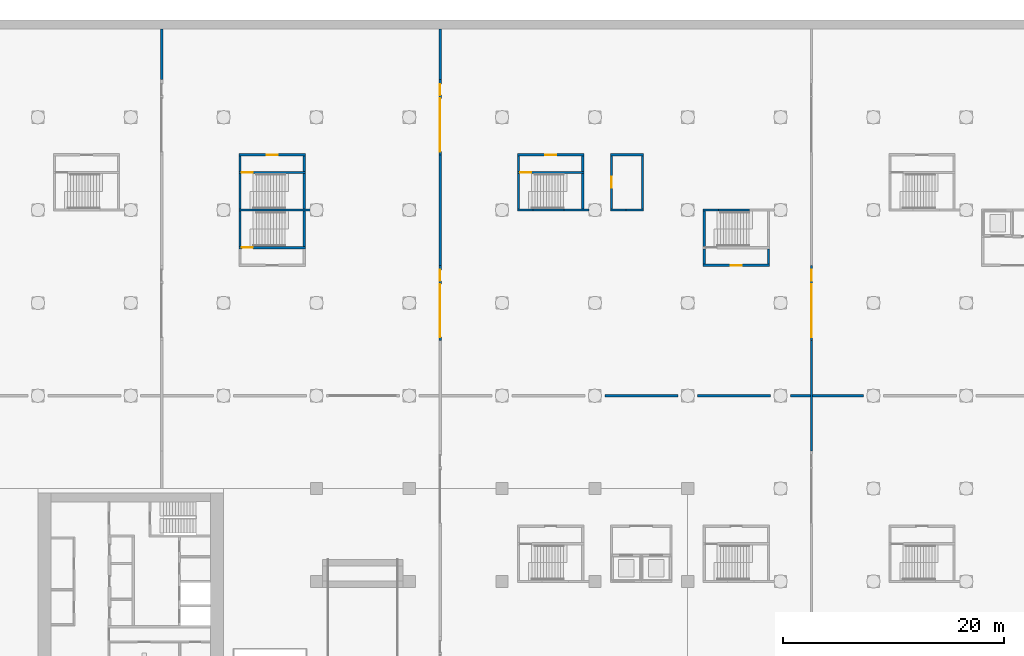
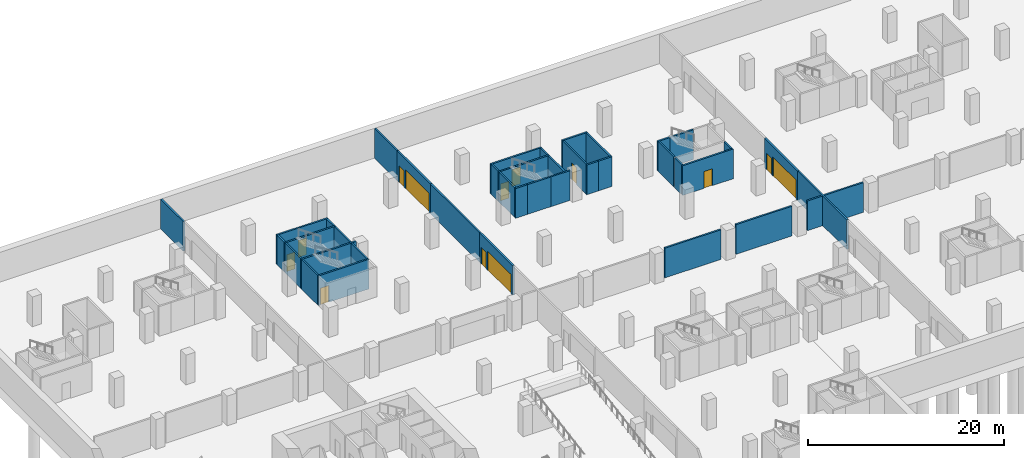
# One storey, part 10 of 19: 41 walls, 13 doors, 13 openings.
"""IFC4 building model written with IfcOpenShell, lengths in metres."""

from ifc_helpers import new_model, si_unit, direction, frame, frame_2d, origin, place, context, subcontext, project, spatial, rectangle, extrude, material, layer, layer_set, type_object, element, fill, save


model = new_model("IFC4")

# Units and contexts
model_context = context("Model", 3, precision=1e-05, world=origin(), true_north=direction((0.0, 1.0)))
body_context = subcontext(model_context, "Body", "Model", "MODEL_VIEW")
ifc_project = project(units=[si_unit("LENGTHUNIT", "METRE"), si_unit("AREAUNIT", "SQUARE_METRE"), si_unit("VOLUMEUNIT", "CUBIC_METRE"), si_unit("PLANEANGLEUNIT", "RADIAN"), si_unit("MASSUNIT", "GRAM", prefix="KILO")], contexts=[model_context])

# Site, building, storey
site_placement = place(None, origin())
site = spatial("IfcSite", under=ifc_project, at=site_placement, CompositionType="ELEMENT")
building_placement = place(site_placement, origin())
building = spatial("IfcBuilding", under=site, at=building_placement, Name="Vermilion Gate Residences", CompositionType="ELEMENT")
storey_placement = place(building_placement, frame((0.0, 0.0, -8.0)))
storey = spatial("IfcBuildingStorey", under=building, at=storey_placement, Name="B2", CompositionType="ELEMENT", Elevation=-8.0)

# Wall, opening, door
ifc_material_1 = material(Name="Concrete blockwork", Category="masonry")
ifc_layer_1 = layer(ifc_material_1, 0.199951171875)
ifc_layer_set_1 = layer_set([ifc_layer_1], Name="FIRE WALL 200 EI 120 (AMENITY)")
wall_type_1 = type_object("IfcWallType", Name="FIRE WALL 200 EI 120 (AMENITY)", PredefinedType="PARTITIONING", material=ifc_layer_set_1)
wall_1_placement = place(storey_placement, frame((60.300048828125, 84.10009765625, 0.0), z_axis=(0.0, 0.0, 1.0), x_axis=(0.0, 1.0, 0.0)))
wall_1 = element("IfcWall", 1, at=wall_1_placement, inside=storey, type_object=wall_type_1, Name="Fire-resisting wall 105", PredefinedType="PARTITIONING", context=body_context, shape_type="SweptSolid", body=[
    extrude(rectangle(XDim=4.7998046875, YDim=0.199951171875, at=frame_2d((2.39990234375, 0.0))), origin(), (0.0, 0.0, 1.0), 3.699951171875),
])
opening_1_placement = place(wall_1_placement, frame((1.89990234375, 0.0, 0.0)))
opening_1 = element("IfcOpeningElement", 2, at=opening_1_placement, cuts=wall_1, Name="Opening DMB2046", PredefinedType="OPENING", context=body_context, shape_type="SweptSolid", body=[
    extrude(rectangle(XDim=1.0, YDim=2.10009765625, at=frame_2d((0.5, 1.050048828125))), frame((0.0, 0.10986328125, 0.0), z_axis=(0.0, -1.0, 0.0), x_axis=(1.0, 0.0, 0.0)), (0.0, 0.0, 1.0), 0.219970703125),
])
ifc_material_2 = material(Name="Steel", Category="steel")
door_type_1 = type_object("IfcDoorType", Name="DOOR 1000 X 2100 FD60 (AMENITY)", OperationType="SINGLE_SWING_LEFT", PredefinedType="DOOR", material=ifc_material_2)
door_1_placement = place(opening_1_placement, origin())
door_1 = element("IfcDoor", 3, at=door_1_placement, inside=storey, type_object=door_type_1, Name="Door B2 46", OperationType="SINGLE_SWING_LEFT", OverallHeight=2.10009765625, OverallWidth=1.0, PredefinedType="DOOR", context=body_context, shape_type="SweptSolid", body=[
    extrude(rectangle(XDim=1.0, YDim=2.10009765625, at=frame_2d((0.5, 1.050048828125))), frame((0.0, 0.02490234375, 0.0), z_axis=(0.0, -1.0, 0.0), x_axis=(1.0, 0.0, 0.0)), (0.0, 0.0, 1.0), 0.050048828125),
])
fill(opening_1, door_1)

# Walls
wall_2_placement = place(storey_placement, frame((60.199951171875, 84.0, 0.0), z_axis=(0.0, 0.0, 1.0), x_axis=(1.0, 0.0, 0.0)))
element("IfcWall", 4, at=wall_2_placement, inside=storey, type_object=wall_type_1, Name="Fire-resisting wall 106", PredefinedType="PARTITIONING", context=body_context, shape_type="SweptSolid", body=[
    extrude(rectangle(XDim=1.400146484375, YDim=0.199951171875, at=frame_2d((0.7001953125, 0.0))), origin(), (0.0, 0.0, 1.0), 3.699951171875),
])
wall_3_placement = place(storey_placement, frame((60.199951171875, 89.0, 0.0), z_axis=(0.0, 0.0, 1.0), x_axis=(1.0, 0.0, 0.0)))
element("IfcWall", 5, at=wall_3_placement, inside=storey, type_object=wall_type_1, Name="Fire-resisting wall 107", PredefinedType="PARTITIONING", context=body_context, shape_type="SweptSolid", body=[
    extrude(rectangle(XDim=3.0, YDim=0.199951171875, at=frame_2d((1.5, 0.0))), origin(), (0.0, 0.0, 1.0), 3.699951171875),
])
wall_4_placement = place(storey_placement, frame((61.60009765625, 84.0, 0.0), z_axis=(0.0, 0.0, 1.0), x_axis=(1.0, 0.0, 0.0)))
element("IfcWall", 6, at=wall_4_placement, inside=storey, type_object=wall_type_1, Name="Fire-resisting wall 109", PredefinedType="PARTITIONING", context=body_context, shape_type="SweptSolid", body=[
    extrude(rectangle(XDim=1.599853515625, YDim=0.199951171875, at=frame_2d((0.7998046875, 0.0))), origin(), (0.0, 0.0, 1.0), 3.699951171875),
])
wall_5_placement = place(storey_placement, frame((63.10009765625, 84.10009765625, 0.0), z_axis=(0.0, 0.0, 1.0), x_axis=(0.0, 1.0, 0.0)))
element("IfcWall", 7, at=wall_5_placement, inside=storey, type_object=wall_type_1, Name="Fire-resisting wall 114", PredefinedType="PARTITIONING", context=body_context, shape_type="SweptSolid", body=[
    extrude(rectangle(XDim=4.7998046875, YDim=0.199951171875, at=frame_2d((2.39990234375, 0.0))), origin(), (0.0, 0.0, 1.0), 3.699951171875),
])
ifc_material_3 = material(Name="Concrete blockwork", Category="masonry")
ifc_layer_2 = layer(ifc_material_3, 0.199951171875)
ifc_layer_set_2 = layer_set([ifc_layer_2], Name="GARAGE FIRE WALL 200 EI 120 (AMENITY)")
wall_type_2 = type_object("IfcWallType", Name="GARAGE FIRE WALL 200 EI 120 (AMENITY)", PredefinedType="PARTITIONING", material=ifc_layer_set_2)
wall_6_placement = place(storey_placement, frame((19.60009765625, 95.800048828125, 0.0), z_axis=(0.0, 0.0, 1.0), x_axis=(0.0, 1.0, 0.0)))
element("IfcWall", 8, at=wall_6_placement, inside=storey, type_object=wall_type_2, Name="Fire compartment wall", PredefinedType="PARTITIONING", context=body_context, shape_type="SweptSolid", body=[
    extrude(rectangle(XDim=4.599853515625, YDim=0.199951171875, at=frame_2d((2.2998046875, 0.0))), origin(), (0.0, 0.0, 1.0), 3.699951171875),
])

# Wall, openings, doors
wall_7_placement = place(storey_placement, frame((44.800048828125, 72.199951171875, 0.0), z_axis=(0.0, 0.0, 1.0), x_axis=(0.0, 1.0, 0.0)))
wall_7 = element("IfcWall", 9, at=wall_7_placement, inside=storey, type_object=wall_type_2, Name="Fire compartment wall", PredefinedType="PARTITIONING", context=body_context, shape_type="SweptSolid", body=[
    extrude(rectangle(XDim=6.800048828125, YDim=0.199951171875, at=frame_2d((3.39990234375, 0.0))), origin(), (0.0, 0.0, 1.0), 3.699951171875),
])
opening_2_placement = place(wall_7_placement, frame((0.300048828125, 0.0, 0.0)))
opening_2 = element("IfcOpeningElement", 10, at=opening_2_placement, cuts=wall_7, Name="Opening DGB2013", PredefinedType="OPENING", context=body_context, shape_type="SweptSolid", body=[
    extrude(rectangle(XDim=4.800048828125, YDim=2.39990234375, at=frame_2d((2.39990234375, 1.199951171875))), frame((0.0, 0.10986328125, 0.0), z_axis=(0.0, -1.0, 0.0), x_axis=(1.0, 0.0, 0.0)), (0.0, 0.0, 1.0), 0.219970703125),
])
opening_3_placement = place(wall_7_placement, frame((5.39990234375, 0.0, 0.0)))
opening_3 = element("IfcOpeningElement", 11, at=opening_3_placement, cuts=wall_7, Name="Opening DGB2014", PredefinedType="OPENING", context=body_context, shape_type="SweptSolid", body=[
    extrude(rectangle(XDim=1.0, YDim=2.10009765625, at=frame_2d((0.5, 1.050048828125))), frame((0.0, 0.10986328125, 0.0), z_axis=(0.0, -1.0, 0.0), x_axis=(1.0, 0.0, 0.0)), (0.0, 0.0, 1.0), 0.219970703125),
])
ifc_material_4 = material(Name="Steel", Category="steel")
door_type_2 = type_object("IfcDoorType", Name="DOOR 1000 X 2100 FD120 (AMENITY)", OperationType="SINGLE_SWING_LEFT", PredefinedType="DOOR", material=ifc_material_4)
door_2_placement = place(opening_3_placement, frame((1.0, 0.0, 0.0), z_axis=(0.0, 0.0, 1.0), x_axis=(-1.0, 0.0, 0.0)))
door_2 = element("IfcDoor", 12, at=door_2_placement, inside=storey, type_object=door_type_2, Name="Fire door", OperationType="SINGLE_SWING_RIGHT", OverallHeight=2.10009765625, OverallWidth=1.0, PredefinedType="DOOR", context=body_context, shape_type="SweptSolid", body=[
    extrude(rectangle(XDim=1.0, YDim=2.10009765625, at=frame_2d((0.5, 1.050048828125))), frame((0.0, 0.02490234375, 0.0), z_axis=(0.0, -1.0, 0.0), x_axis=(1.0, 0.0, 0.0)), (0.0, 0.0, 1.0), 0.050048828125),
])
fill(opening_3, door_2)
ifc_material_5 = material(Name="Steel", Category="steel")
door_type_3 = type_object("IfcDoorType", Name="FIRE SHUTTER 4800 X 2400 (AMENITY)", OperationType="ROLLINGUP", PredefinedType="GATE", material=ifc_material_5)
door_3_placement = place(opening_2_placement, origin())
door_3 = element("IfcDoor", 13, at=door_3_placement, inside=storey, type_object=door_type_3, Name="Fire shutter", OperationType="ROLLINGUP", OverallHeight=2.39990234375, OverallWidth=4.800048828125, PredefinedType="GATE", context=body_context, shape_type="SweptSolid", body=[
    extrude(rectangle(XDim=4.800048828125, YDim=2.39990234375, at=frame_2d((2.39990234375, 1.199951171875))), frame((0.0, 0.02490234375, 0.0), z_axis=(0.0, -1.0, 0.0), x_axis=(1.0, 0.0, 0.0)), (0.0, 0.0, 1.0), 0.050048828125),
])
fill(opening_2, door_3)

# Wall
wall_8_placement = place(storey_placement, frame((44.800048828125, 79.0, 0.0), z_axis=(0.0, 0.0, 1.0), x_axis=(0.0, 1.0, 0.0)))
element("IfcWall", 14, at=wall_8_placement, inside=storey, type_object=wall_type_2, Name="Fire compartment wall", PredefinedType="PARTITIONING", context=body_context, shape_type="SweptSolid", body=[
    extrude(rectangle(XDim=10.0, YDim=0.199951171875, at=frame_2d((5.0, 0.0))), origin(), (0.0, 0.0, 1.0), 3.699951171875),
])

# Wall, openings, doors
wall_9_placement = place(storey_placement, frame((44.800048828125, 89.0, 0.0), z_axis=(0.0, 0.0, 1.0), x_axis=(0.0, 1.0, 0.0)))
wall_9 = element("IfcWall", 15, at=wall_9_placement, inside=storey, type_object=wall_type_2, Name="Fire compartment wall", PredefinedType="PARTITIONING", context=body_context, shape_type="SweptSolid", body=[
    extrude(rectangle(XDim=6.800048828125, YDim=0.199951171875, at=frame_2d((3.39990234375, 0.0))), origin(), (0.0, 0.0, 1.0), 3.699951171875),
])
opening_4_placement = place(wall_9_placement, frame((0.300048828125, 0.0, 0.0)))
opening_4 = element("IfcOpeningElement", 16, at=opening_4_placement, cuts=wall_9, Name="Opening DGB2015", PredefinedType="OPENING", context=body_context, shape_type="SweptSolid", body=[
    extrude(rectangle(XDim=4.800048828125, YDim=2.39990234375, at=frame_2d((2.39990234375, 1.199951171875))), frame((0.0, 0.10986328125, 0.0), z_axis=(0.0, -1.0, 0.0), x_axis=(1.0, 0.0, 0.0)), (0.0, 0.0, 1.0), 0.219970703125),
])
opening_5_placement = place(wall_9_placement, frame((5.39990234375, 0.0, 0.0)))
opening_5 = element("IfcOpeningElement", 17, at=opening_5_placement, cuts=wall_9, Name="Opening DGB2016", PredefinedType="OPENING", context=body_context, shape_type="SweptSolid", body=[
    extrude(rectangle(XDim=1.0, YDim=2.10009765625, at=frame_2d((0.5, 1.050048828125))), frame((0.0, 0.10986328125, 0.0), z_axis=(0.0, -1.0, 0.0), x_axis=(1.0, 0.0, 0.0)), (0.0, 0.0, 1.0), 0.219970703125),
])
door_4_placement = place(opening_5_placement, origin())
door_4 = element("IfcDoor", 18, at=door_4_placement, inside=storey, type_object=door_type_2, Name="Fire door", OperationType="SINGLE_SWING_LEFT", OverallHeight=2.10009765625, OverallWidth=1.0, PredefinedType="DOOR", context=body_context, shape_type="SweptSolid", body=[
    extrude(rectangle(XDim=1.0, YDim=2.10009765625, at=frame_2d((0.5, 1.050048828125))), frame((0.0, 0.02490234375, 0.0), z_axis=(0.0, -1.0, 0.0), x_axis=(1.0, 0.0, 0.0)), (0.0, 0.0, 1.0), 0.050048828125),
])
fill(opening_5, door_4)
door_5_placement = place(opening_4_placement, origin())
door_5 = element("IfcDoor", 19, at=door_5_placement, inside=storey, type_object=door_type_3, Name="Fire shutter", OperationType="ROLLINGUP", OverallHeight=2.39990234375, OverallWidth=4.800048828125, PredefinedType="GATE", context=body_context, shape_type="SweptSolid", body=[
    extrude(rectangle(XDim=4.800048828125, YDim=2.39990234375, at=frame_2d((2.39990234375, 1.199951171875))), frame((0.0, 0.02490234375, 0.0), z_axis=(0.0, -1.0, 0.0), x_axis=(1.0, 0.0, 0.0)), (0.0, 0.0, 1.0), 0.050048828125),
])
fill(opening_4, door_5)

# Walls
wall_10_placement = place(storey_placement, frame((44.800048828125, 95.800048828125, 0.0), z_axis=(0.0, 0.0, 1.0), x_axis=(0.0, 1.0, 0.0)))
element("IfcWall", 20, at=wall_10_placement, inside=storey, type_object=wall_type_2, Name="Fire compartment wall", PredefinedType="PARTITIONING", context=body_context, shape_type="SweptSolid", body=[
    extrude(rectangle(XDim=4.599853515625, YDim=0.199951171875, at=frame_2d((2.2998046875, 0.0))), origin(), (0.0, 0.0, 1.0), 3.699951171875),
])
wall_11_placement = place(storey_placement, frame((78.39990234375, 62.199951171875, 0.0), z_axis=(0.0, 0.0, 1.0), x_axis=(0.0, 1.0, 0.0)))
element("IfcWall", 21, at=wall_11_placement, inside=storey, type_object=wall_type_2, Name="Fire compartment wall", PredefinedType="PARTITIONING", context=body_context, shape_type="SweptSolid", body=[
    extrude(rectangle(XDim=10.0, YDim=0.199951171875, at=frame_2d((5.0, 0.0))), origin(), (0.0, 0.0, 1.0), 3.699951171875),
])

# Wall, openings, doors
wall_12_placement = place(storey_placement, frame((78.39990234375, 72.199951171875, 0.0), z_axis=(0.0, 0.0, 1.0), x_axis=(0.0, 1.0, 0.0)))
wall_12 = element("IfcWall", 22, at=wall_12_placement, inside=storey, type_object=wall_type_2, Name="Fire compartment wall", PredefinedType="PARTITIONING", context=body_context, shape_type="SweptSolid", body=[
    extrude(rectangle(XDim=6.800048828125, YDim=0.199951171875, at=frame_2d((3.39990234375, 0.0))), origin(), (0.0, 0.0, 1.0), 3.699951171875),
])
opening_6_placement = place(wall_12_placement, frame((0.300048828125, 0.0, 0.0)))
opening_6 = element("IfcOpeningElement", 23, at=opening_6_placement, cuts=wall_12, Name="Opening DGB2021", PredefinedType="OPENING", context=body_context, shape_type="SweptSolid", body=[
    extrude(rectangle(XDim=4.800048828125, YDim=2.39990234375, at=frame_2d((2.39990234375, 1.199951171875))), frame((0.0, 0.10986328125, 0.0), z_axis=(0.0, -1.0, 0.0), x_axis=(1.0, 0.0, 0.0)), (0.0, 0.0, 1.0), 0.219970703125),
])
opening_7_placement = place(wall_12_placement, frame((5.39990234375, 0.0, 0.0)))
opening_7 = element("IfcOpeningElement", 24, at=opening_7_placement, cuts=wall_12, Name="Opening DGB2022", PredefinedType="OPENING", context=body_context, shape_type="SweptSolid", body=[
    extrude(rectangle(XDim=1.0, YDim=2.10009765625, at=frame_2d((0.5, 1.050048828125))), frame((0.0, 0.10986328125, 0.0), z_axis=(0.0, -1.0, 0.0), x_axis=(1.0, 0.0, 0.0)), (0.0, 0.0, 1.0), 0.219970703125),
])
door_6_placement = place(opening_7_placement, frame((1.0, 0.0, 0.0), z_axis=(0.0, 0.0, 1.0), x_axis=(-1.0, 0.0, 0.0)))
door_6 = element("IfcDoor", 25, at=door_6_placement, inside=storey, type_object=door_type_2, Name="Fire door", OperationType="SINGLE_SWING_RIGHT", OverallHeight=2.10009765625, OverallWidth=1.0, PredefinedType="DOOR", context=body_context, shape_type="SweptSolid", body=[
    extrude(rectangle(XDim=1.0, YDim=2.10009765625, at=frame_2d((0.5, 1.050048828125))), frame((0.0, 0.02490234375, 0.0), z_axis=(0.0, -1.0, 0.0), x_axis=(1.0, 0.0, 0.0)), (0.0, 0.0, 1.0), 0.050048828125),
])
fill(opening_7, door_6)
door_7_placement = place(opening_6_placement, origin())
door_7 = element("IfcDoor", 26, at=door_7_placement, inside=storey, type_object=door_type_3, Name="Fire shutter", OperationType="ROLLINGUP", OverallHeight=2.39990234375, OverallWidth=4.800048828125, PredefinedType="GATE", context=body_context, shape_type="SweptSolid", body=[
    extrude(rectangle(XDim=4.800048828125, YDim=2.39990234375, at=frame_2d((2.39990234375, 1.199951171875))), frame((0.0, 0.02490234375, 0.0), z_axis=(0.0, -1.0, 0.0), x_axis=(1.0, 0.0, 0.0)), (0.0, 0.0, 1.0), 0.050048828125),
])
fill(opening_6, door_7)

# Walls
wall_13_placement = place(storey_placement, frame((59.699951171875, 67.199951171875, 0.0), z_axis=(0.0, 0.0, 1.0), x_axis=(1.0, 0.0, 0.0)))
element("IfcWall", 27, at=wall_13_placement, inside=storey, type_object=wall_type_2, Name="Fire compartment wall", PredefinedType="PARTITIONING", context=body_context, shape_type="SweptSolid", body=[
    extrude(rectangle(XDim=6.60009765625, YDim=0.199951171875, at=frame_2d((3.300048828125, 0.0))), origin(), (0.0, 0.0, 1.0), 3.699951171875),
])
wall_14_placement = place(storey_placement, frame((68.10009765625, 67.199951171875, 0.0), z_axis=(0.0, 0.0, 1.0), x_axis=(1.0, 0.0, 0.0)))
element("IfcWall", 28, at=wall_14_placement, inside=storey, type_object=wall_type_2, Name="Fire compartment wall", PredefinedType="PARTITIONING", context=body_context, shape_type="SweptSolid", body=[
    extrude(rectangle(XDim=6.599853515625, YDim=0.199951171875, at=frame_2d((3.2998046875, 0.0))), origin(), (0.0, 0.0, 1.0), 3.699951171875),
])
wall_15_placement = place(storey_placement, frame((76.5, 67.199951171875, 0.0), z_axis=(0.0, 0.0, 1.0), x_axis=(1.0, 0.0, 0.0)))
element("IfcWall", 29, at=wall_15_placement, inside=storey, type_object=wall_type_2, Name="Fire compartment wall", PredefinedType="PARTITIONING", context=body_context, shape_type="SweptSolid", body=[
    extrude(rectangle(XDim=1.800048828125, YDim=0.199951171875, at=frame_2d((0.89990234375, 0.0))), origin(), (0.0, 0.0, 1.0), 3.699951171875),
])
wall_16_placement = place(storey_placement, frame((78.5, 67.199951171875, 0.0), z_axis=(0.0, 0.0, 1.0), x_axis=(1.0, 0.0, 0.0)))
element("IfcWall", 30, at=wall_16_placement, inside=storey, type_object=wall_type_2, Name="Fire compartment wall", PredefinedType="PARTITIONING", context=body_context, shape_type="SweptSolid", body=[
    extrude(rectangle(XDim=4.60009765625, YDim=0.199951171875, at=frame_2d((2.300048828125, 0.0))), origin(), (0.0, 0.0, 1.0), 3.699951171875),
])
ifc_material_6 = material(Name="Concrete C40", Category="concrete")
ifc_layer_3 = layer(ifc_material_6, 0.199951171875)
ifc_layer_set_3 = layer_set([ifc_layer_3], Name="RC STAIR AND SHAFT WALL 200 EI 180 C40 (AMENITY)")
wall_type_3 = type_object("IfcWallType", Name="RC STAIR AND SHAFT WALL 200 EI 180 C40 (AMENITY)", PredefinedType="SOLIDWALL", material=ifc_layer_set_3)
wall_17_placement = place(storey_placement, frame((26.699951171875, 80.699951171875, 0.0), z_axis=(0.0, 0.0, 1.0), x_axis=(0.0, 1.0, 0.0)))
element("IfcWall", 31, at=wall_17_placement, inside=storey, type_object=wall_type_3, Name="Stair and shaft wall 54", PredefinedType="SOLIDWALL", context=body_context, shape_type="SweptSolid", body=[
    extrude(rectangle(XDim=3.199951171875, YDim=0.199951171875, at=frame_2d((1.60009765625, 0.0))), origin(), (0.0, 0.0, 1.0), 3.699951171875),
])

# Wall, opening, door
wall_18_placement = place(storey_placement, frame((26.60009765625, 80.60009765625, 0.0), z_axis=(0.0, 0.0, 1.0), x_axis=(1.0, 0.0, 0.0)))
wall_18 = element("IfcWall", 32, at=wall_18_placement, inside=storey, type_object=wall_type_3, Name="Stair and shaft wall 55", PredefinedType="SOLIDWALL", context=body_context, shape_type="SweptSolid", body=[
    extrude(rectangle(XDim=6.0, YDim=0.199951171875, at=frame_2d((3.0, 0.0))), origin(), (0.0, 0.0, 1.0), 3.699951171875),
])
opening_8_placement = place(wall_18_placement, frame((0.25, 0.0, 0.0)))
opening_8 = element("IfcOpeningElement", 33, at=opening_8_placement, cuts=wall_18, Name="Opening DMB2024", PredefinedType="OPENING", context=body_context, shape_type="SweptSolid", body=[
    extrude(rectangle(XDim=1.0, YDim=2.10009765625, at=frame_2d((0.5, 1.050048828125))), frame((0.0, 0.10986328125, 0.0), z_axis=(0.0, -1.0, 0.0), x_axis=(1.0, 0.0, 0.0)), (0.0, 0.0, 1.0), 0.219970703125),
])
door_8_placement = place(opening_8_placement, origin())
door_8 = element("IfcDoor", 34, at=door_8_placement, inside=storey, type_object=door_type_1, Name="Door B2 24", OperationType="SINGLE_SWING_RIGHT", OverallHeight=2.10009765625, OverallWidth=1.0, PredefinedType="DOOR", context=body_context, shape_type="SweptSolid", body=[
    extrude(rectangle(XDim=1.0, YDim=2.10009765625, at=frame_2d((0.5, 1.050048828125))), frame((0.0, 0.02490234375, 0.0), z_axis=(0.0, -1.0, 0.0), x_axis=(1.0, 0.0, 0.0)), (0.0, 0.0, 1.0), 0.050048828125),
])
fill(opening_8, door_8)

# Walls
wall_19_placement = place(storey_placement, frame((26.699951171875, 84.10009765625, 0.0), z_axis=(0.0, 0.0, 1.0), x_axis=(0.0, 1.0, 0.0)))
element("IfcWall", 35, at=wall_19_placement, inside=storey, type_object=wall_type_3, Name="Stair and shaft wall 56", PredefinedType="SOLIDWALL", context=body_context, shape_type="SweptSolid", body=[
    extrude(rectangle(XDim=3.199951171875, YDim=0.199951171875, at=frame_2d((1.60009765625, 0.0))), origin(), (0.0, 0.0, 1.0), 3.699951171875),
])
wall_20_placement = place(storey_placement, frame((26.60009765625, 84.0, 0.0), z_axis=(0.0, 0.0, 1.0), x_axis=(1.0, 0.0, 0.0)))
element("IfcWall", 36, at=wall_20_placement, inside=storey, type_object=wall_type_3, Name="Stair and shaft wall 57", PredefinedType="SOLIDWALL", context=body_context, shape_type="SweptSolid", body=[
    extrude(rectangle(XDim=6.449951171875, YDim=0.199951171875, at=frame_2d((3.22509765625, 0.0))), origin(), (0.0, 0.0, 1.0), 3.699951171875),
])
wall_21_placement = place(storey_placement, frame((26.699951171875, 87.5, 0.0), z_axis=(0.0, 0.0, 1.0), x_axis=(0.0, 1.0, 0.0)))
element("IfcWall", 37, at=wall_21_placement, inside=storey, type_object=wall_type_3, Name="Stair and shaft wall 58", PredefinedType="SOLIDWALL", context=body_context, shape_type="SweptSolid", body=[
    extrude(rectangle(XDim=1.39990234375, YDim=0.199951171875, at=frame_2d((0.699951171875, 0.0))), origin(), (0.0, 0.0, 1.0), 3.699951171875),
])

# Wall, opening, door
wall_22_placement = place(storey_placement, frame((26.60009765625, 87.39990234375, 0.0), z_axis=(0.0, 0.0, 1.0), x_axis=(1.0, 0.0, 0.0)))
wall_22 = element("IfcWall", 38, at=wall_22_placement, inside=storey, type_object=wall_type_3, Name="Stair and shaft wall 59", PredefinedType="SOLIDWALL", context=body_context, shape_type="SweptSolid", body=[
    extrude(rectangle(XDim=6.0, YDim=0.199951171875, at=frame_2d((3.0, 0.0))), origin(), (0.0, 0.0, 1.0), 3.699951171875),
])
opening_9_placement = place(wall_22_placement, frame((0.25, 0.0, 0.0)))
opening_9 = element("IfcOpeningElement", 39, at=opening_9_placement, cuts=wall_22, Name="Opening DMB2022", PredefinedType="OPENING", context=body_context, shape_type="SweptSolid", body=[
    extrude(rectangle(XDim=1.0, YDim=2.10009765625, at=frame_2d((0.5, 1.050048828125))), frame((0.0, 0.10986328125, 0.0), z_axis=(0.0, -1.0, 0.0), x_axis=(1.0, 0.0, 0.0)), (0.0, 0.0, 1.0), 0.219970703125),
])
door_9_placement = place(opening_9_placement, frame((1.0, 0.0, 0.0), z_axis=(0.0, 0.0, 1.0), x_axis=(-1.0, 0.0, 0.0)))
door_9 = element("IfcDoor", 40, at=door_9_placement, inside=storey, type_object=door_type_1, Name="Door B2 22", OperationType="SINGLE_SWING_RIGHT", OverallHeight=2.10009765625, OverallWidth=1.0, PredefinedType="DOOR", context=body_context, shape_type="SweptSolid", body=[
    extrude(rectangle(XDim=1.0, YDim=2.10009765625, at=frame_2d((0.5, 1.050048828125))), frame((0.0, 0.02490234375, 0.0), z_axis=(0.0, -1.0, 0.0), x_axis=(1.0, 0.0, 0.0)), (0.0, 0.0, 1.0), 0.050048828125),
])
fill(opening_9, door_9)

wall_23_placement = place(storey_placement, frame((26.60009765625, 89.0, 0.0), z_axis=(0.0, 0.0, 1.0), x_axis=(1.0, 0.0, 0.0)))
wall_23 = element("IfcWall", 41, at=wall_23_placement, inside=storey, type_object=wall_type_3, Name="Stair and shaft wall 60", PredefinedType="SOLIDWALL", context=body_context, shape_type="SweptSolid", body=[
    extrude(rectangle(XDim=6.0, YDim=0.199951171875, at=frame_2d((3.0, 0.0))), origin(), (0.0, 0.0, 1.0), 3.699951171875),
])
opening_10_placement = place(wall_23_placement, frame((2.5, 0.0, 0.0)))
opening_10 = element("IfcOpeningElement", 42, at=opening_10_placement, cuts=wall_23, Name="Opening DMB2021", PredefinedType="OPENING", context=body_context, shape_type="SweptSolid", body=[
    extrude(rectangle(XDim=1.0, YDim=2.10009765625, at=frame_2d((0.5, 1.050048828125))), frame((0.0, 0.10986328125, 0.0), z_axis=(0.0, -1.0, 0.0), x_axis=(1.0, 0.0, 0.0)), (0.0, 0.0, 1.0), 0.219970703125),
])
door_10_placement = place(opening_10_placement, origin())
door_10 = element("IfcDoor", 43, at=door_10_placement, inside=storey, type_object=door_type_1, Name="Door B2 21", OperationType="SINGLE_SWING_LEFT", OverallHeight=2.10009765625, OverallWidth=1.0, PredefinedType="DOOR", context=body_context, shape_type="SweptSolid", body=[
    extrude(rectangle(XDim=1.0, YDim=2.10009765625, at=frame_2d((0.5, 1.050048828125))), frame((0.0, 0.02490234375, 0.0), z_axis=(0.0, -1.0, 0.0), x_axis=(1.0, 0.0, 0.0)), (0.0, 0.0, 1.0), 0.050048828125),
])
fill(opening_10, door_10)

# Walls
for number, where, z_axis, x_axis, name in (
    (44, (32.5, 80.699951171875, 0.0), (0.0, 0.0, 1.0), (0.0, 1.0, 0.0), "Stair and shaft wall 62"),
    (45, (32.5, 84.10009765625, 0.0), (0.0, 0.0, 1.0), (0.0, 1.0, 0.0), "Stair and shaft wall 63"),
):
    element("IfcWall", number, at=place(storey_placement, frame(where, z_axis=z_axis, x_axis=x_axis)), inside=storey, type_object=wall_type_3, Name=name, PredefinedType="SOLIDWALL", context=body_context, shape_type="SweptSolid", body=[
        extrude(rectangle(XDim=3.199951171875, YDim=0.199951171875, at=frame_2d((1.60009765625, 0.0))), origin(), (0.0, 0.0, 1.0), 3.699951171875),
    ])
wall_24_placement = place(storey_placement, frame((32.5, 87.5, 0.0), z_axis=(0.0, 0.0, 1.0), x_axis=(0.0, 1.0, 0.0)))
element("IfcWall", 46, at=wall_24_placement, inside=storey, type_object=wall_type_3, Name="Stair and shaft wall 64", PredefinedType="SOLIDWALL", context=body_context, shape_type="SweptSolid", body=[
    extrude(rectangle(XDim=1.39990234375, YDim=0.199951171875, at=frame_2d((0.699951171875, 0.0))), origin(), (0.0, 0.0, 1.0), 3.699951171875),
])
wall_25_placement = place(storey_placement, frame((51.89990234375, 84.10009765625, 0.0), z_axis=(0.0, 0.0, 1.0), x_axis=(0.0, 1.0, 0.0)))
element("IfcWall", 47, at=wall_25_placement, inside=storey, type_object=wall_type_3, Name="Stair and shaft wall 76", PredefinedType="SOLIDWALL", context=body_context, shape_type="SweptSolid", body=[
    extrude(rectangle(XDim=3.199951171875, YDim=0.199951171875, at=frame_2d((1.60009765625, 0.0))), origin(), (0.0, 0.0, 1.0), 3.699951171875),
])
for number, where, z_axis, x_axis, name in (
    (48, (51.800048828125, 84.0, 0.0), (0.0, 0.0, 1.0), (1.0, 0.0, 0.0), "Stair and shaft wall 77"),
    (49, (51.89990234375, 87.5, 0.0), (0.0, 0.0, 1.0), (0.0, 1.0, 0.0), "Stair and shaft wall 78"),
):
    element("IfcWall", number, at=place(storey_placement, frame(where, z_axis=z_axis, x_axis=x_axis)), inside=storey, type_object=wall_type_3, Name=name, PredefinedType="SOLIDWALL", context=body_context, shape_type="SweptSolid", body=[
        extrude(rectangle(XDim=1.39990234375, YDim=0.199951171875, at=frame_2d((0.699951171875, 0.0))), origin(), (0.0, 0.0, 1.0), 3.699951171875),
    ])

# Wall, opening, door
wall_26_placement = place(storey_placement, frame((51.800048828125, 87.39990234375, 0.0), z_axis=(0.0, 0.0, 1.0), x_axis=(1.0, 0.0, 0.0)))
wall_26 = element("IfcWall", 50, at=wall_26_placement, inside=storey, type_object=wall_type_3, Name="Stair and shaft wall 79", PredefinedType="SOLIDWALL", context=body_context, shape_type="SweptSolid", body=[
    extrude(rectangle(XDim=6.0, YDim=0.199951171875, at=frame_2d((3.0, 0.0))), origin(), (0.0, 0.0, 1.0), 3.699951171875),
])
opening_11_placement = place(wall_26_placement, frame((0.25, 0.0, 0.0)))
opening_11 = element("IfcOpeningElement", 51, at=opening_11_placement, cuts=wall_26, Name="Opening DMB2028", PredefinedType="OPENING", context=body_context, shape_type="SweptSolid", body=[
    extrude(rectangle(XDim=1.0, YDim=2.10009765625, at=frame_2d((0.5, 1.050048828125))), frame((0.0, 0.10986328125, 0.0), z_axis=(0.0, -1.0, 0.0), x_axis=(1.0, 0.0, 0.0)), (0.0, 0.0, 1.0), 0.219970703125),
])
door_11_placement = place(opening_11_placement, frame((1.0, 0.0, 0.0), z_axis=(0.0, 0.0, 1.0), x_axis=(-1.0, 0.0, 0.0)))
door_11 = element("IfcDoor", 52, at=door_11_placement, inside=storey, type_object=door_type_1, Name="Door B2 28", OperationType="SINGLE_SWING_RIGHT", OverallHeight=2.10009765625, OverallWidth=1.0, PredefinedType="DOOR", context=body_context, shape_type="SweptSolid", body=[
    extrude(rectangle(XDim=1.0, YDim=2.10009765625, at=frame_2d((0.5, 1.050048828125))), frame((0.0, 0.02490234375, 0.0), z_axis=(0.0, -1.0, 0.0), x_axis=(1.0, 0.0, 0.0)), (0.0, 0.0, 1.0), 0.050048828125),
])
fill(opening_11, door_11)

wall_27_placement = place(storey_placement, frame((51.800048828125, 89.0, 0.0), z_axis=(0.0, 0.0, 1.0), x_axis=(1.0, 0.0, 0.0)))
wall_27 = element("IfcWall", 53, at=wall_27_placement, inside=storey, type_object=wall_type_3, Name="Stair and shaft wall 80", PredefinedType="SOLIDWALL", context=body_context, shape_type="SweptSolid", body=[
    extrude(rectangle(XDim=6.0, YDim=0.199951171875, at=frame_2d((3.0, 0.0))), origin(), (0.0, 0.0, 1.0), 3.699951171875),
])
opening_12_placement = place(wall_27_placement, frame((2.5, 0.0, 0.0)))
opening_12 = element("IfcOpeningElement", 54, at=opening_12_placement, cuts=wall_27, Name="Opening DMB2027", PredefinedType="OPENING", context=body_context, shape_type="SweptSolid", body=[
    extrude(rectangle(XDim=1.0, YDim=2.10009765625, at=frame_2d((0.5, 1.050048828125))), frame((0.0, 0.10986328125, 0.0), z_axis=(0.0, -1.0, 0.0), x_axis=(1.0, 0.0, 0.0)), (0.0, 0.0, 1.0), 0.219970703125),
])
door_12_placement = place(opening_12_placement, origin())
door_12 = element("IfcDoor", 55, at=door_12_placement, inside=storey, type_object=door_type_1, Name="Door B2 27", OperationType="SINGLE_SWING_LEFT", OverallHeight=2.10009765625, OverallWidth=1.0, PredefinedType="DOOR", context=body_context, shape_type="SweptSolid", body=[
    extrude(rectangle(XDim=1.0, YDim=2.10009765625, at=frame_2d((0.5, 1.050048828125))), frame((0.0, 0.02490234375, 0.0), z_axis=(0.0, -1.0, 0.0), x_axis=(1.0, 0.0, 0.0)), (0.0, 0.0, 1.0), 0.050048828125),
])
fill(opening_12, door_12)

# Walls
wall_28_placement = place(storey_placement, frame((53.199951171875, 84.0, 0.0), z_axis=(0.0, 0.0, 1.0), x_axis=(1.0, 0.0, 0.0)))
element("IfcWall", 56, at=wall_28_placement, inside=storey, type_object=wall_type_3, Name="Stair and shaft wall 82", PredefinedType="SOLIDWALL", context=body_context, shape_type="SweptSolid", body=[
    extrude(rectangle(XDim=2.800048828125, YDim=0.199951171875, at=frame_2d((1.39990234375, 0.0))), origin(), (0.0, 0.0, 1.0), 3.699951171875),
])
wall_29_placement = place(storey_placement, frame((56.0, 84.0, 0.0), z_axis=(0.0, 0.0, 1.0), x_axis=(1.0, 0.0, 0.0)))
element("IfcWall", 57, at=wall_29_placement, inside=storey, type_object=wall_type_3, Name="Stair and shaft wall 85", PredefinedType="SOLIDWALL", context=body_context, shape_type="SweptSolid", body=[
    extrude(rectangle(XDim=2.25, YDim=0.199951171875, at=frame_2d((1.125, 0.0))), origin(), (0.0, 0.0, 1.0), 3.699951171875),
])
wall_30_placement = place(storey_placement, frame((57.699951171875, 84.10009765625, 0.0), z_axis=(0.0, 0.0, 1.0), x_axis=(0.0, 1.0, 0.0)))
element("IfcWall", 58, at=wall_30_placement, inside=storey, type_object=wall_type_3, Name="Stair and shaft wall 91", PredefinedType="SOLIDWALL", context=body_context, shape_type="SweptSolid", body=[
    extrude(rectangle(XDim=3.199951171875, YDim=0.199951171875, at=frame_2d((1.60009765625, 0.0))), origin(), (0.0, 0.0, 1.0), 3.699951171875),
])
for number, where, z_axis, x_axis, name in (
    (59, (57.699951171875, 87.5, 0.0), (0.0, 0.0, 1.0), (0.0, 1.0, 0.0), "Stair and shaft wall 92"),
    (60, (68.699951171875, 79.10009765625, 0.0), (0.0, 0.0, 1.0), (0.0, 1.0, 0.0), "Stair and shaft wall 126"),
):
    element("IfcWall", number, at=place(storey_placement, frame(where, z_axis=z_axis, x_axis=x_axis)), inside=storey, type_object=wall_type_3, Name=name, PredefinedType="SOLIDWALL", context=body_context, shape_type="SweptSolid", body=[
        extrude(rectangle(XDim=1.39990234375, YDim=0.199951171875, at=frame_2d((0.699951171875, 0.0))), origin(), (0.0, 0.0, 1.0), 3.699951171875),
    ])

# Wall, opening, door
wall_31_placement = place(storey_placement, frame((68.60009765625, 79.0, 0.0), z_axis=(0.0, 0.0, 1.0), x_axis=(1.0, 0.0, 0.0)))
wall_31 = element("IfcWall", 61, at=wall_31_placement, inside=storey, type_object=wall_type_3, Name="Stair and shaft wall 127", PredefinedType="SOLIDWALL", context=body_context, shape_type="SweptSolid", body=[
    extrude(rectangle(XDim=6.0, YDim=0.199951171875, at=frame_2d((3.0, 0.0))), origin(), (0.0, 0.0, 1.0), 3.699951171875),
])
opening_13_placement = place(wall_31_placement, frame((2.5, 0.0, 0.0)))
opening_13 = element("IfcOpeningElement", 62, at=opening_13_placement, cuts=wall_31, Name="Opening DMB2025", PredefinedType="OPENING", context=body_context, shape_type="SweptSolid", body=[
    extrude(rectangle(XDim=1.0, YDim=2.10009765625, at=frame_2d((0.5, 1.050048828125))), frame((0.0, 0.10986328125, 0.0), z_axis=(0.0, -1.0, 0.0), x_axis=(1.0, 0.0, 0.0)), (0.0, 0.0, 1.0), 0.219970703125),
])
door_13_placement = place(opening_13_placement, frame((1.0, 0.0, 0.0), z_axis=(0.0, 0.0, 1.0), x_axis=(-1.0, 0.0, 0.0)))
door_13 = element("IfcDoor", 63, at=door_13_placement, inside=storey, type_object=door_type_1, Name="Door B2 25", OperationType="SINGLE_SWING_RIGHT", OverallHeight=2.10009765625, OverallWidth=1.0, PredefinedType="DOOR", context=body_context, shape_type="SweptSolid", body=[
    extrude(rectangle(XDim=1.0, YDim=2.10009765625, at=frame_2d((0.5, 1.050048828125))), frame((0.0, 0.02490234375, 0.0), z_axis=(0.0, -1.0, 0.0), x_axis=(1.0, 0.0, 0.0)), (0.0, 0.0, 1.0), 0.050048828125),
])
fill(opening_13, door_13)

# Walls
wall_32_placement = place(storey_placement, frame((68.699951171875, 80.699951171875, 0.0), z_axis=(0.0, 0.0, 1.0), x_axis=(0.0, 1.0, 0.0)))
element("IfcWall", 64, at=wall_32_placement, inside=storey, type_object=wall_type_3, Name="Stair and shaft wall 128", PredefinedType="SOLIDWALL", context=body_context, shape_type="SweptSolid", body=[
    extrude(rectangle(XDim=3.199951171875, YDim=0.199951171875, at=frame_2d((1.60009765625, 0.0))), origin(), (0.0, 0.0, 1.0), 3.699951171875),
])
wall_33_placement = place(storey_placement, frame((68.60009765625, 84.0, 0.0), z_axis=(0.0, 0.0, 1.0), x_axis=(1.0, 0.0, 0.0)))
element("IfcWall", 65, at=wall_33_placement, inside=storey, type_object=wall_type_3, Name="Stair and shaft wall 130", PredefinedType="SOLIDWALL", context=body_context, shape_type="SweptSolid", body=[
    extrude(rectangle(XDim=1.39990234375, YDim=0.199951171875, at=frame_2d((0.699951171875, 0.0))), origin(), (0.0, 0.0, 1.0), 3.699951171875),
])
wall_34_placement = place(storey_placement, frame((70.0, 84.0, 0.0), z_axis=(0.0, 0.0, 1.0), x_axis=(1.0, 0.0, 0.0)))
element("IfcWall", 66, at=wall_34_placement, inside=storey, type_object=wall_type_3, Name="Stair and shaft wall 131", PredefinedType="SOLIDWALL", context=body_context, shape_type="SweptSolid", body=[
    extrude(rectangle(XDim=2.800048828125, YDim=0.199951171875, at=frame_2d((1.39990234375, 0.0))), origin(), (0.0, 0.0, 1.0), 3.699951171875),
])
wall_35_placement = place(storey_placement, frame((74.5, 79.10009765625, 0.0), z_axis=(0.0, 0.0, 1.0), x_axis=(0.0, 1.0, 0.0)))
element("IfcWall", 67, at=wall_35_placement, inside=storey, type_object=wall_type_3, Name="Stair and shaft wall 137", PredefinedType="SOLIDWALL", context=body_context, shape_type="SweptSolid", body=[
    extrude(rectangle(XDim=1.39990234375, YDim=0.199951171875, at=frame_2d((0.699951171875, 0.0))), origin(), (0.0, 0.0, 1.0), 3.699951171875),
])

save(model, "model.ifc")
